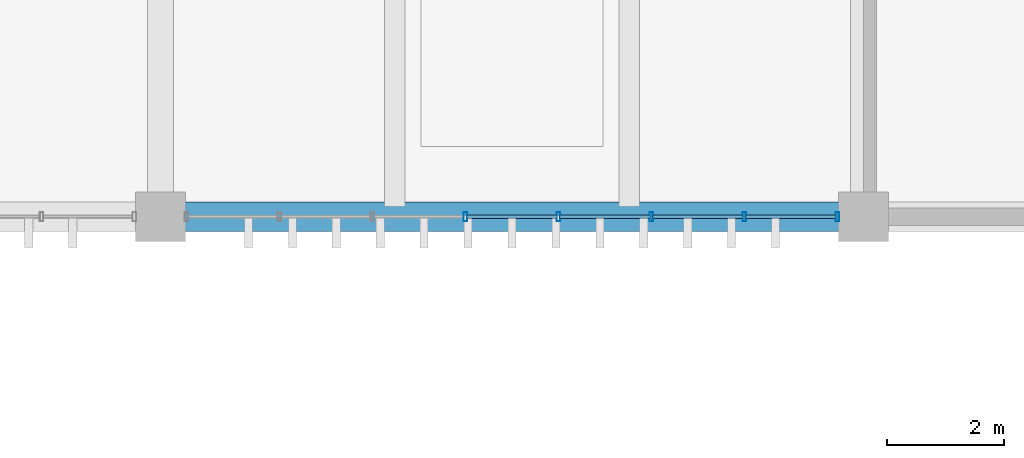
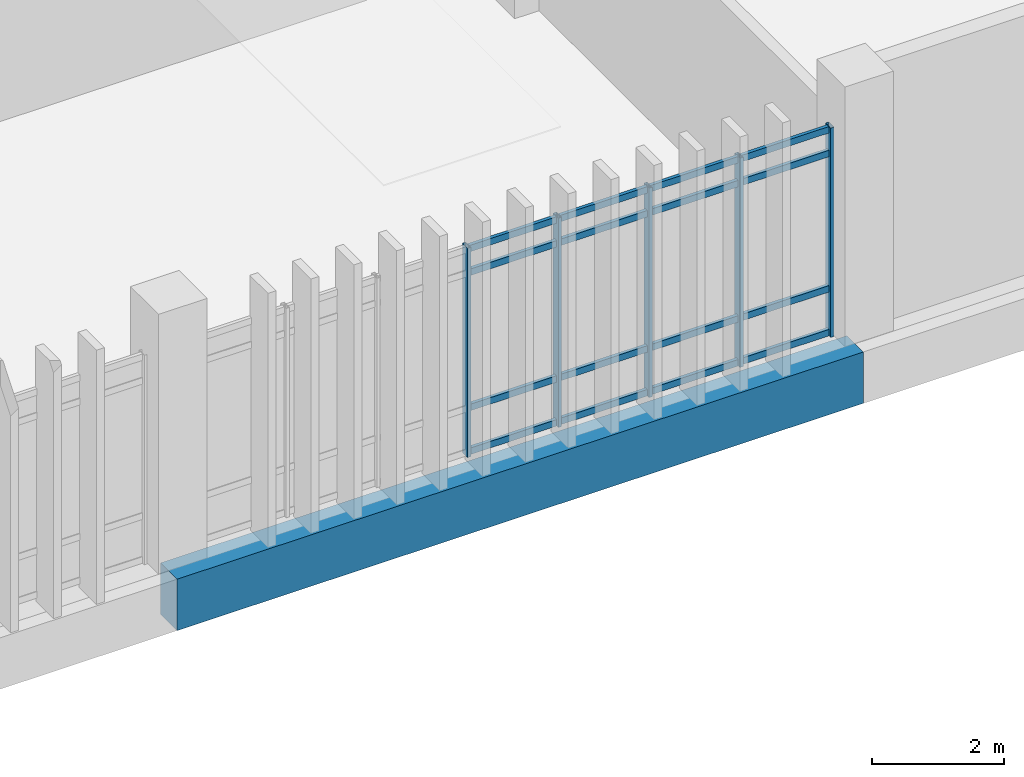
# One storey, part 39 of 87: 21 members, 1 beam, 1 element without a shape of its own.
"""IFC4 building model written with IfcOpenShell, lengths in metres."""

from ifc_helpers import new_model, si_unit, direction, frame, origin, origin_2d, place, context, subcontext, project, spatial, rectangle, hollow_rectangle, extrude, material, layer, layer_set, material_profile, profile_set, type_object, element, aggregate, save


model = new_model("IFC4")

# Units and contexts
model_context = context("Model", 3, precision=1e-05, world=origin(), true_north=direction((0.0, 1.0)))
body_context = subcontext(model_context, "Body", "Model", "MODEL_VIEW")
ifc_project = project(units=[si_unit("LENGTHUNIT", "METRE"), si_unit("AREAUNIT", "SQUARE_METRE"), si_unit("VOLUMEUNIT", "CUBIC_METRE"), si_unit("PLANEANGLEUNIT", "RADIAN"), si_unit("MASSUNIT", "GRAM", prefix="KILO")], contexts=[model_context])

# Site, building, storey
site_placement = place(None, origin())
site = spatial("IfcSite", under=ifc_project, at=site_placement, CompositionType="ELEMENT")
building_placement = place(site_placement, origin())
building = spatial("IfcBuilding", under=site, at=building_placement, Name="Mersad Railyard Sports Hall", CompositionType="ELEMENT")
storey_placement = place(building_placement, origin())
storey = spatial("IfcBuildingStorey", under=building, at=storey_placement, Name="L00", CompositionType="ELEMENT", Elevation=0.0)

# Curtain wall, members
ifc_material_1 = material(Name="Aluminium 6063-T6", Category="aluminium")
ifc_layer = layer(ifc_material_1, 0.159912109375)
ifc_layer_set = layer_set([ifc_layer], Name="Aluminium 6063-T6")
curtain_wall_type = type_object("IfcCurtainWallType", Name="ARC-CW-CW31", PredefinedType="USERDEFINED", material=ifc_layer_set)
curtain_wall_placement = place(storey_placement, origin())
curtain_wall = element("IfcCurtainWall", 1, at=curtain_wall_placement, inside=storey, type_object=curtain_wall_type, Name="Curtain wall CW31-0091", ObjectType="CURTAIN WALL", PredefinedType="USERDEFINED")
ifc_material_profile_1 = material_profile(ifc_material_1, hollow_rectangle(XDim=0.06005859375, YDim=0.159912109375, WallThickness=0.00390625, at=origin_2d()), Name="AL MULLION 60x160x4")
ifc_profile_set_1 = profile_set([ifc_material_profile_1], Name="Aluminium 6063-T6")
member_type_1 = type_object("IfcMemberType", Name="ARC-CW-MUL01", PredefinedType="MULLION", material=ifc_profile_set_1)
member_1_placement = place(storey_placement, frame((78.554931640625, 85.0, -0.02001953125), z_axis=(0.0, 0.0, 1.0), x_axis=(1.0, 0.0, 0.0)))
member_1 = element("IfcMember", 2, at=member_1_placement, type_object=member_type_1, Name="CW31 Mullion 1", PredefinedType="MULLION", context=body_context, shape_type="SweptSolid", body=[
    extrude(hollow_rectangle(XDim=0.06005859375, YDim=0.159912109375, WallThickness=0.00390625, at=origin_2d()), origin(), (0.0, 0.0, 1.0), 3.8701171875),
])
member_2_placement = place(storey_placement, frame((76.9677734375, 85.0, -0.02001953125), z_axis=(0.0, 0.0, 1.0), x_axis=(1.0, 0.0, 0.0)))
member_2 = element("IfcMember", 3, at=member_2_placement, type_object=member_type_1, Name="CW31 Mullion 2", PredefinedType="MULLION", context=body_context, shape_type="SweptSolid", body=[
    extrude(hollow_rectangle(XDim=0.06005859375, YDim=0.159912109375, WallThickness=0.00390625, at=origin_2d()), origin(), (0.0, 0.0, 1.0), 3.8701171875),
])
member_3_placement = place(storey_placement, frame((75.380615234375, 85.0, -0.02001953125), z_axis=(0.0, 0.0, 1.0), x_axis=(1.0, 0.0, 0.0)))
member_3 = element("IfcMember", 4, at=member_3_placement, type_object=member_type_1, Name="CW31 Mullion 3", PredefinedType="MULLION", context=body_context, shape_type="SweptSolid", body=[
    extrude(hollow_rectangle(XDim=0.06005859375, YDim=0.159912109375, WallThickness=0.00390625, at=origin_2d()), origin(), (0.0, 0.0, 1.0), 3.8701171875),
])
member_4_placement = place(storey_placement, frame((73.79345703125, 85.0, -0.02001953125), z_axis=(0.0, 0.0, 1.0), x_axis=(1.0, 0.0, 0.0)))
member_4 = element("IfcMember", 5, at=member_4_placement, type_object=member_type_1, Name="CW31 Mullion 4", PredefinedType="MULLION", context=body_context, shape_type="SweptSolid", body=[
    extrude(hollow_rectangle(XDim=0.06005859375, YDim=0.159912109375, WallThickness=0.00390625, at=origin_2d()), origin(), (0.0, 0.0, 1.0), 3.8701171875),
])
member_5_placement = place(storey_placement, frame((72.20654296875, 85.0, -0.02001953125), z_axis=(0.0, 0.0, 1.0), x_axis=(1.0, 0.0, 0.0)))
member_5 = element("IfcMember", 6, at=member_5_placement, type_object=member_type_1, Name="CW31 Mullion 5", PredefinedType="MULLION", context=body_context, shape_type="SweptSolid", body=[
    extrude(hollow_rectangle(XDim=0.06005859375, YDim=0.159912109375, WallThickness=0.00390625, at=origin_2d()), origin(), (0.0, 0.0, 1.0), 3.8701171875),
])
ifc_material_profile_2 = material_profile(ifc_material_1, hollow_rectangle(XDim=0.06005859375, YDim=0.1201171875, WallThickness=0.00390625, at=origin_2d()), Name="AL TRANSOM 60x120x4")
ifc_profile_set_2 = profile_set([ifc_material_profile_2], Name="Aluminium 6063-T6")
member_type_2 = type_object("IfcMemberType", Name="ARC-CW-TRN01", PredefinedType="USERDEFINED", material=ifc_profile_set_2)
member_6_placement = place(storey_placement, frame((78.534912109375, 85.0, 0.0400390625), z_axis=(-1.0, 0.0, 0.0), x_axis=(0.0, -1.0, 0.0)))
member_6 = element("IfcMember", 7, at=member_6_placement, type_object=member_type_2, Name="CW31 Transom 1-1", ObjectType="TRANSOM", PredefinedType="USERDEFINED", context=body_context, shape_type="SweptSolid", body=[
    extrude(hollow_rectangle(XDim=0.06005859375, YDim=0.1201171875, WallThickness=0.00390625, at=origin_2d()), origin(), (0.0, 0.0, 1.0), 1.547119140625),
])
member_7_placement = place(storey_placement, frame((76.94775390625, 85.0, 0.0400390625), z_axis=(-1.0, 0.0, 0.0), x_axis=(0.0, -1.0, 0.0)))
member_7 = element("IfcMember", 8, at=member_7_placement, type_object=member_type_2, Name="CW31 Transom 1-2", ObjectType="TRANSOM", PredefinedType="USERDEFINED", context=body_context, shape_type="SweptSolid", body=[
    extrude(hollow_rectangle(XDim=0.06005859375, YDim=0.1201171875, WallThickness=0.00390625, at=origin_2d()), origin(), (0.0, 0.0, 1.0), 1.547119140625),
])
member_8_placement = place(storey_placement, frame((75.360595703125, 85.0, 0.0400390625), z_axis=(-1.0, 0.0, 0.0), x_axis=(0.0, -1.0, 0.0)))
member_8 = element("IfcMember", 9, at=member_8_placement, type_object=member_type_2, Name="CW31 Transom 1-3", ObjectType="TRANSOM", PredefinedType="USERDEFINED", context=body_context, shape_type="SweptSolid", body=[
    extrude(hollow_rectangle(XDim=0.06005859375, YDim=0.1201171875, WallThickness=0.00390625, at=origin_2d()), origin(), (0.0, 0.0, 1.0), 1.547119140625),
])
member_9_placement = place(storey_placement, frame((73.773681640625, 85.0, 0.0400390625), z_axis=(-1.0, 0.0, 0.0), x_axis=(0.0, -1.0, 0.0)))
member_9 = element("IfcMember", 10, at=member_9_placement, type_object=member_type_2, Name="CW31 Transom 1-4", ObjectType="TRANSOM", PredefinedType="USERDEFINED", context=body_context, shape_type="SweptSolid", body=[
    extrude(hollow_rectangle(XDim=0.06005859375, YDim=0.1201171875, WallThickness=0.00390625, at=origin_2d()), origin(), (0.0, 0.0, 1.0), 1.54736328125),
])
member_10_placement = place(storey_placement, frame((78.534912109375, 85.0, 0.85009765625), z_axis=(-1.0, 0.0, 0.0), x_axis=(0.0, -1.0, 0.0)))
member_10 = element("IfcMember", 11, at=member_10_placement, type_object=member_type_2, Name="CW31 Transom 2-1", ObjectType="TRANSOM", PredefinedType="USERDEFINED", context=body_context, shape_type="SweptSolid", body=[
    extrude(hollow_rectangle(XDim=0.06005859375, YDim=0.1201171875, WallThickness=0.00390625, at=origin_2d()), origin(), (0.0, 0.0, 1.0), 1.547119140625),
])
member_11_placement = place(storey_placement, frame((76.94775390625, 85.0, 0.85009765625), z_axis=(-1.0, 0.0, 0.0), x_axis=(0.0, -1.0, 0.0)))
member_11 = element("IfcMember", 12, at=member_11_placement, type_object=member_type_2, Name="CW31 Transom 2-2", ObjectType="TRANSOM", PredefinedType="USERDEFINED", context=body_context, shape_type="SweptSolid", body=[
    extrude(hollow_rectangle(XDim=0.06005859375, YDim=0.1201171875, WallThickness=0.00390625, at=origin_2d()), origin(), (0.0, 0.0, 1.0), 1.547119140625),
])
member_12_placement = place(storey_placement, frame((75.360595703125, 85.0, 0.85009765625), z_axis=(-1.0, 0.0, 0.0), x_axis=(0.0, -1.0, 0.0)))
member_12 = element("IfcMember", 13, at=member_12_placement, type_object=member_type_2, Name="CW31 Transom 2-3", ObjectType="TRANSOM", PredefinedType="USERDEFINED", context=body_context, shape_type="SweptSolid", body=[
    extrude(hollow_rectangle(XDim=0.06005859375, YDim=0.1201171875, WallThickness=0.00390625, at=origin_2d()), origin(), (0.0, 0.0, 1.0), 1.547119140625),
])
member_13_placement = place(storey_placement, frame((73.773681640625, 85.0, 0.85009765625), z_axis=(-1.0, 0.0, 0.0), x_axis=(0.0, -1.0, 0.0)))
member_13 = element("IfcMember", 14, at=member_13_placement, type_object=member_type_2, Name="CW31 Transom 2-4", ObjectType="TRANSOM", PredefinedType="USERDEFINED", context=body_context, shape_type="SweptSolid", body=[
    extrude(hollow_rectangle(XDim=0.06005859375, YDim=0.1201171875, WallThickness=0.00390625, at=origin_2d()), origin(), (0.0, 0.0, 1.0), 1.54736328125),
])
member_14_placement = place(storey_placement, frame((78.534912109375, 85.0, 3.35009765625), z_axis=(-1.0, 0.0, 0.0), x_axis=(0.0, -1.0, 0.0)))
member_14 = element("IfcMember", 15, at=member_14_placement, type_object=member_type_2, Name="CW31 Transom 3-1", ObjectType="TRANSOM", PredefinedType="USERDEFINED", context=body_context, shape_type="SweptSolid", body=[
    extrude(hollow_rectangle(XDim=0.06005859375, YDim=0.1201171875, WallThickness=0.00390625, at=origin_2d()), origin(), (0.0, 0.0, 1.0), 1.547119140625),
])
member_15_placement = place(storey_placement, frame((76.94775390625, 85.0, 3.35009765625), z_axis=(-1.0, 0.0, 0.0), x_axis=(0.0, -1.0, 0.0)))
member_15 = element("IfcMember", 16, at=member_15_placement, type_object=member_type_2, Name="CW31 Transom 3-2", ObjectType="TRANSOM", PredefinedType="USERDEFINED", context=body_context, shape_type="SweptSolid", body=[
    extrude(hollow_rectangle(XDim=0.06005859375, YDim=0.1201171875, WallThickness=0.00390625, at=origin_2d()), origin(), (0.0, 0.0, 1.0), 1.547119140625),
])
member_16_placement = place(storey_placement, frame((75.360595703125, 85.0, 3.35009765625), z_axis=(-1.0, 0.0, 0.0), x_axis=(0.0, -1.0, 0.0)))
member_16 = element("IfcMember", 17, at=member_16_placement, type_object=member_type_2, Name="CW31 Transom 3-3", ObjectType="TRANSOM", PredefinedType="USERDEFINED", context=body_context, shape_type="SweptSolid", body=[
    extrude(hollow_rectangle(XDim=0.06005859375, YDim=0.1201171875, WallThickness=0.00390625, at=origin_2d()), origin(), (0.0, 0.0, 1.0), 1.547119140625),
])
member_17_placement = place(storey_placement, frame((73.773681640625, 85.0, 3.35009765625), z_axis=(-1.0, 0.0, 0.0), x_axis=(0.0, -1.0, 0.0)))
member_17 = element("IfcMember", 18, at=member_17_placement, type_object=member_type_2, Name="CW31 Transom 3-4", ObjectType="TRANSOM", PredefinedType="USERDEFINED", context=body_context, shape_type="SweptSolid", body=[
    extrude(hollow_rectangle(XDim=0.06005859375, YDim=0.1201171875, WallThickness=0.00390625, at=origin_2d()), origin(), (0.0, 0.0, 1.0), 1.54736328125),
])
member_18_placement = place(storey_placement, frame((78.534912109375, 85.0, 3.7900390625), z_axis=(-1.0, 0.0, 0.0), x_axis=(0.0, -1.0, 0.0)))
member_18 = element("IfcMember", 19, at=member_18_placement, type_object=member_type_2, Name="CW31 Transom 4-1", ObjectType="TRANSOM", PredefinedType="USERDEFINED", context=body_context, shape_type="SweptSolid", body=[
    extrude(hollow_rectangle(XDim=0.06005859375, YDim=0.1201171875, WallThickness=0.00390625, at=origin_2d()), origin(), (0.0, 0.0, 1.0), 1.547119140625),
])
member_19_placement = place(storey_placement, frame((76.94775390625, 85.0, 3.7900390625), z_axis=(-1.0, 0.0, 0.0), x_axis=(0.0, -1.0, 0.0)))
member_19 = element("IfcMember", 20, at=member_19_placement, type_object=member_type_2, Name="CW31 Transom 4-2", ObjectType="TRANSOM", PredefinedType="USERDEFINED", context=body_context, shape_type="SweptSolid", body=[
    extrude(hollow_rectangle(XDim=0.06005859375, YDim=0.1201171875, WallThickness=0.00390625, at=origin_2d()), origin(), (0.0, 0.0, 1.0), 1.547119140625),
])
member_20_placement = place(storey_placement, frame((75.360595703125, 85.0, 3.7900390625), z_axis=(-1.0, 0.0, 0.0), x_axis=(0.0, -1.0, 0.0)))
member_20 = element("IfcMember", 21, at=member_20_placement, type_object=member_type_2, Name="CW31 Transom 4-3", ObjectType="TRANSOM", PredefinedType="USERDEFINED", context=body_context, shape_type="SweptSolid", body=[
    extrude(hollow_rectangle(XDim=0.06005859375, YDim=0.1201171875, WallThickness=0.00390625, at=origin_2d()), origin(), (0.0, 0.0, 1.0), 1.547119140625),
])
member_21_placement = place(storey_placement, frame((73.773681640625, 85.0, 3.7900390625), z_axis=(-1.0, 0.0, 0.0), x_axis=(0.0, -1.0, 0.0)))
member_21 = element("IfcMember", 22, at=member_21_placement, type_object=member_type_2, Name="CW31 Transom 4-4", ObjectType="TRANSOM", PredefinedType="USERDEFINED", context=body_context, shape_type="SweptSolid", body=[
    extrude(hollow_rectangle(XDim=0.06005859375, YDim=0.1201171875, WallThickness=0.00390625, at=origin_2d()), origin(), (0.0, 0.0, 1.0), 1.54736328125),
])
aggregate(curtain_wall, [member_1, member_2, member_3, member_4, member_5, member_6, member_7, member_8, member_9, member_10, member_11, member_12, member_13, member_14, member_15, member_16, member_17, member_18, member_19, member_20, member_21])

# Beam
ifc_material_2 = material(Name="Concrete C50/60", Category="concrete")
ifc_material_profile_3 = material_profile(ifc_material_2, rectangle(XDim=0.5, YDim=0.949951171875, at=origin_2d()), Name="RC 500x950")
ifc_profile_set_3 = profile_set([ifc_material_profile_3], Name="Concrete C50/60")
beam_type = type_object("IfcBeamType", Name="STR-BM-B03", PredefinedType="BEAM", material=ifc_profile_set_3)
beam_placement = place(storey_placement, frame((67.0, 85.0, -0.824951171875), z_axis=(1.0, 0.0, 0.0), x_axis=(0.0, 1.0, 0.0)))
element("IfcBeam", 23, at=beam_placement, inside=storey, type_object=beam_type, Name="Beam B03-0144", PredefinedType="BEAM", context=body_context, shape_type="SweptSolid", body=[
    extrude(rectangle(XDim=0.5, YDim=0.949951171875, at=origin_2d()), origin(), (0.0, 0.0, 1.0), 12.0),
])

save(model, "model.ifc")
